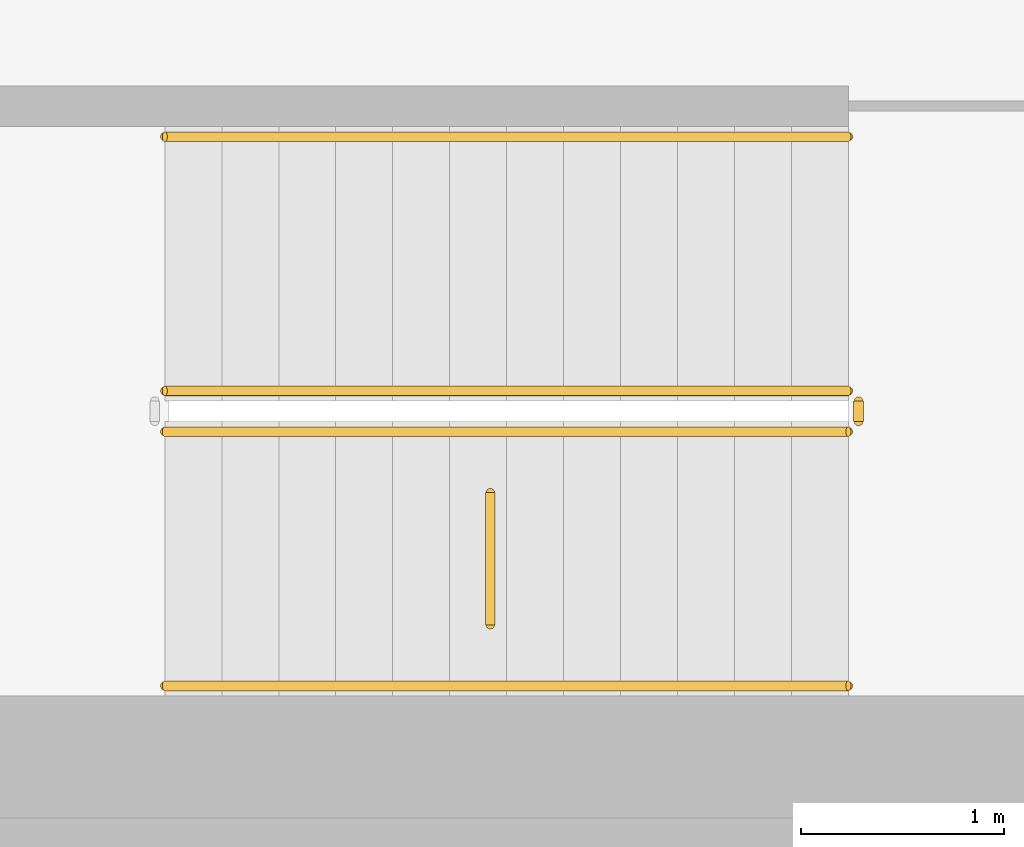
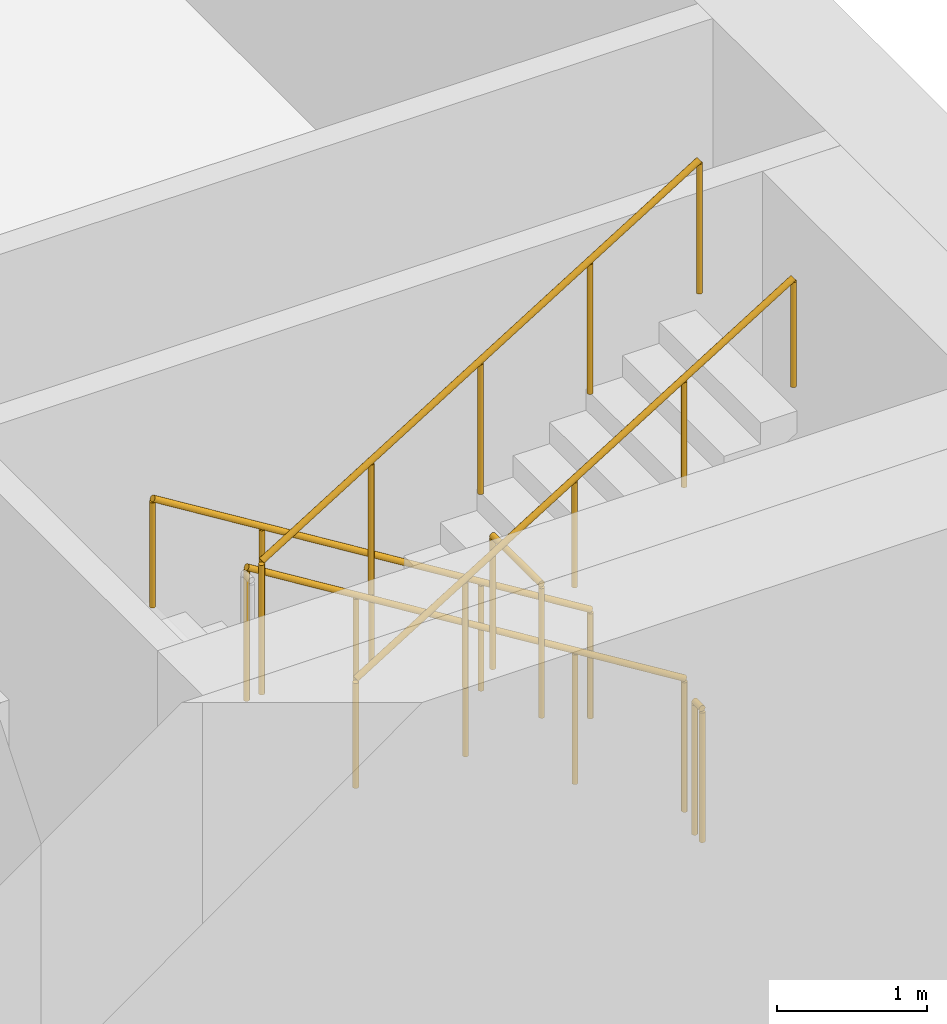
# One storey, part 19 of 21: 6 railings.
"""IFC4 building model written with IfcOpenShell, lengths in metres."""

from ifc_helpers import new_model, si_unit, direction, frame, origin, origin_2d, place, context, subcontext, project, spatial, circle, extrude, material, type_object, element, save


model = new_model("IFC4")

# Units and contexts
model_context = context("Model", 3, precision=1e-05, world=origin(), true_north=direction((0.0, 1.0)))
body_context = subcontext(model_context, "Body", "Model", "MODEL_VIEW")
ifc_project = project(units=[si_unit("LENGTHUNIT", "METRE"), si_unit("AREAUNIT", "SQUARE_METRE"), si_unit("VOLUMEUNIT", "CUBIC_METRE"), si_unit("PLANEANGLEUNIT", "RADIAN"), si_unit("MASSUNIT", "GRAM", prefix="KILO")], contexts=[model_context])

# Site, building, storey
site_placement = place(None, origin())
site = spatial("IfcSite", under=ifc_project, at=site_placement, CompositionType="ELEMENT")
building_placement = place(site_placement, origin())
building = spatial("IfcBuilding", under=site, at=building_placement, Name="Stone Belt Terrace Tower", CompositionType="ELEMENT")
storey_placement = place(building_placement, frame((0.0, 0.0, -9.0)))
storey = spatial("IfcBuildingStorey", under=building, at=storey_placement, Name="B2", CompositionType="ELEMENT", Elevation=-9.0)

# Railings
ifc_material_1 = material(Name="Structural steel C345", Category="steel")
railing_type_1 = type_object("IfcRailingType", Name="Car park guard 1100", PredefinedType="GUARDRAIL", material=ifc_material_1)
railing_1_placement = place(storey_placement, frame((30.75, -48.60009765625, 0.173095703125)))
element("IfcRailing", 1, at=railing_1_placement, inside=storey, type_object=railing_type_1, Name="B2 CS2 stair guard 1", PredefinedType="GUARDRAIL", context=body_context, shape_type="SweptSolid", body=[
    extrude(circle(Radius=0.02392578125, at=origin_2d()), frame((0.0, 0.0, 1.076171875), z_axis=(-0.850623216509, 0.0, 0.525775754039), x_axis=(0.0, -1.0, 0.0)), (0.0, 0.0, 1.0), 3.9501953125),
    extrude(circle(Radius=0.02099609375, at=origin_2d()), origin(), (0.0, 0.0, 1.0), 1.052001953125),
    extrude(circle(Radius=0.02099609375, at=origin_2d()), frame((-0.840087890625, 0.0, 0.519287109375)), (0.0, 0.0, 1.0), 1.052001953125),
    extrude(circle(Radius=0.02099609375, at=origin_2d()), frame((-1.68017578125, 0.0, 1.03857421875)), (0.0, 0.0, 1.0), 1.052001953125),
    extrude(circle(Radius=0.02099609375, at=origin_2d()), frame((-2.52001953125, 0.0, 1.5576171875)), (0.0, 0.0, 1.0), 1.052001953125),
    extrude(circle(Radius=0.02099609375, at=origin_2d()), frame((-3.360107421875, 0.0, 2.076904296875)), (0.0, 0.0, 1.0), 1.052001953125),
])
railing_2_placement = place(storey_placement, frame((27.389892578125, -48.800048828125, 2.423095703125)))
element("IfcRailing", 2, at=railing_2_placement, inside=storey, type_object=railing_type_1, Name="B2 CS2 stair guard 3", PredefinedType="GUARDRAIL", context=body_context, shape_type="SweptSolid", body=[
    extrude(circle(Radius=0.02392578125, at=origin_2d()), frame((0.0, 0.0, 1.076171875), z_axis=(0.850623216509, 0.0, 0.525775754039), x_axis=(0.0, 1.0, 0.0)), (0.0, 0.0, 1.0), 3.9501953125),
    extrude(circle(Radius=0.02099609375, at=origin_2d()), origin(), (0.0, 0.0, 1.0), 1.052001953125),
    extrude(circle(Radius=0.02099609375, at=origin_2d()), frame((0.840087890625, 0.0, 0.519287109375)), (0.0, 0.0, 1.0), 1.052001953125),
    extrude(circle(Radius=0.02099609375, at=origin_2d()), frame((1.68017578125, 0.0, 1.03857421875)), (0.0, 0.0, 1.0), 1.052001953125),
    extrude(circle(Radius=0.02099609375, at=origin_2d()), frame((2.52001953125, 0.0, 1.5576171875)), (0.0, 0.0, 1.0), 1.052001953125),
    extrude(circle(Radius=0.02099609375, at=origin_2d()), frame((3.360107421875, 0.0, 2.076904296875)), (0.0, 0.0, 1.0), 1.052001953125),
])
railing_3_placement = place(storey_placement, frame((30.800048828125, -48.64990234375, 0.0)))
element("IfcRailing", 3, at=railing_3_placement, inside=storey, type_object=railing_type_1, Name="B2 CS2 stair guard 4", PredefinedType="GUARDRAIL", context=body_context, shape_type="SweptSolid", body=[
    extrude(circle(Radius=0.02392578125, at=origin_2d()), frame((0.0, 0.0, 1.076171875), z_axis=(0.0, -1.0, 0.0), x_axis=(1.0, 0.0, 0.0)), (0.0, 0.0, 1.0), 0.10009765625),
    extrude(circle(Radius=0.02099609375, at=origin_2d()), origin(), (0.0, 0.0, 1.0), 1.052001953125),
    extrude(circle(Radius=0.02099609375, at=origin_2d()), frame((0.0, -0.10009765625, 0.0)), (0.0, 0.0, 1.0), 1.052001953125),
])
railing_4_placement = place(storey_placement, frame((28.989990234375, -49.75, 2.25)))
element("IfcRailing", 4, at=railing_4_placement, inside=storey, type_object=railing_type_1, Name="Car park stair landing guard", PredefinedType="GUARDRAIL", context=body_context, shape_type="SweptSolid", body=[
    extrude(circle(Radius=0.02392578125, at=origin_2d()), frame((0.0, 0.0, 1.076171875), z_axis=(0.0, 1.0, 0.0), x_axis=(-1.0, 0.0, 0.0)), (0.0, 0.0, 1.0), 0.64990234375),
    extrude(circle(Radius=0.02099609375, at=origin_2d()), origin(), (0.0, 0.0, 1.0), 1.052001953125),
    extrude(circle(Radius=0.02099609375, at=origin_2d()), frame((0.0, 0.64990234375, 0.0)), (0.0, 0.0, 1.0), 1.052001953125),
])
ifc_material_2 = material(Name="Stainless steel", Category="steel")
railing_type_2 = type_object("IfcRailingType", Name="Car park handrail 900", PredefinedType="HANDRAIL", material=ifc_material_2)
railing_5_placement = place(storey_placement, frame((30.75, -47.35009765625, 0.173095703125)))
element("IfcRailing", 5, at=railing_5_placement, inside=storey, type_object=railing_type_2, Name="B2 CS2 stair handrail 1", PredefinedType="HANDRAIL", context=body_context, shape_type="SweptSolid", body=[
    extrude(circle(Radius=0.02392578125, at=origin_2d()), frame((0.0, 0.0, 0.8759765625), z_axis=(-0.850623216509, 0.0, 0.525775754039), x_axis=(0.0, -1.0, 0.0)), (0.0, 0.0, 1.0), 3.9501953125),
    extrude(circle(Radius=0.02099609375, at=origin_2d()), origin(), (0.0, 0.0, 1.0), 0.851806640625),
    extrude(circle(Radius=0.02099609375, at=origin_2d()), frame((-0.840087890625, 0.0, 0.519287109375)), (0.0, 0.0, 1.0), 0.851806640625),
    extrude(circle(Radius=0.02099609375, at=origin_2d()), frame((-1.68017578125, 0.0, 1.03857421875)), (0.0, 0.0, 1.0), 0.851806640625),
    extrude(circle(Radius=0.02099609375, at=origin_2d()), frame((-2.52001953125, 0.0, 1.5576171875)), (0.0, 0.0, 1.0), 0.851806640625),
    extrude(circle(Radius=0.02099609375, at=origin_2d()), frame((-3.360107421875, 0.0, 2.076904296875)), (0.0, 0.0, 1.0), 0.851806640625),
])
railing_6_placement = place(storey_placement, frame((27.389892578125, -50.050048828125, 2.423095703125)))
element("IfcRailing", 6, at=railing_6_placement, inside=storey, type_object=railing_type_2, Name="B2 CS2 stair handrail 2", PredefinedType="HANDRAIL", context=body_context, shape_type="SweptSolid", body=[
    extrude(circle(Radius=0.02392578125, at=origin_2d()), frame((0.0, 0.0, 0.8759765625), z_axis=(0.850623216509, 0.0, 0.525775754039), x_axis=(0.0, 1.0, 0.0)), (0.0, 0.0, 1.0), 3.9501953125),
    extrude(circle(Radius=0.02099609375, at=origin_2d()), origin(), (0.0, 0.0, 1.0), 0.851806640625),
    extrude(circle(Radius=0.02099609375, at=origin_2d()), frame((0.840087890625, 0.0, 0.519287109375)), (0.0, 0.0, 1.0), 0.851806640625),
    extrude(circle(Radius=0.02099609375, at=origin_2d()), frame((1.68017578125, 0.0, 1.03857421875)), (0.0, 0.0, 1.0), 0.851806640625),
    extrude(circle(Radius=0.02099609375, at=origin_2d()), frame((2.52001953125, 0.0, 1.5576171875)), (0.0, 0.0, 1.0), 0.851806640625),
    extrude(circle(Radius=0.02099609375, at=origin_2d()), frame((3.360107421875, 0.0, 2.076904296875)), (0.0, 0.0, 1.0), 0.851806640625),
])

save(model, "model.ifc")
